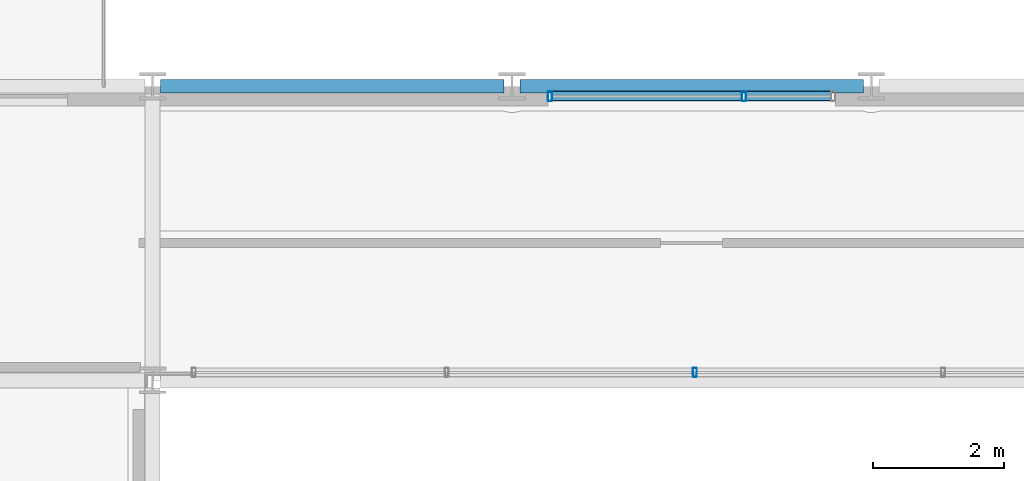
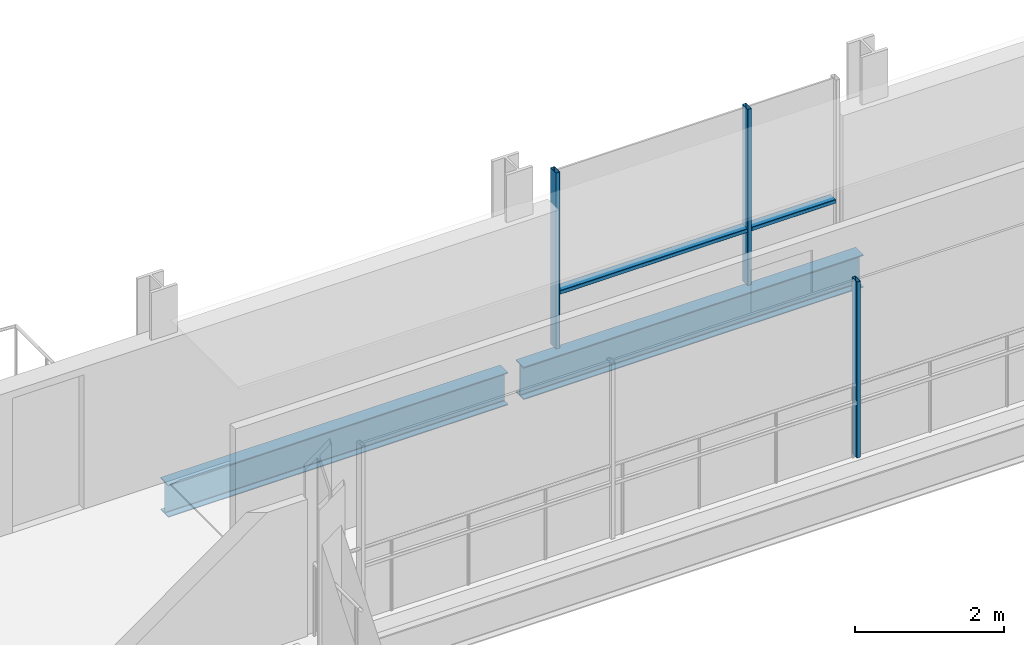
# One storey, part 13 of 39: 5 members, 2 beams, 2 elements without a shape of their own.
"""IFC4 building model written with IfcOpenShell, lengths in metres."""

import ifcopenshell
import ifcopenshell.guid

model = None  # the IFC model being written
_history = None  # IfcOwnerHistory: only IFC2X3 demands one
_inside = {}  # id of a spatial element -> (the spatial element, [elements in it])
_under = {}  # id of a project, library or spatial element -> (it, [spatial elements below it])
_declared = {}  # id of a project -> (the project, [libraries it declares])
_typed = {}  # id of a type object -> (the type object, [elements of that type])
_made_of = {}  # id of a material, layer set ... -> (it, [elements and type objects made of it])


def new_model(schema):
    """Start an empty IFC model of exactly this schema.

    Asked for "IFC4X3", IfcOpenShell would pick the latest addendum, in which some entities
    have other attributes; the version numbers below select the first issue.
    IFC2X3 requires an IfcOwnerHistory on every rooted entity: one is made here for all.
    """
    global model, _history
    if schema == "IFC4X3":
        model = ifcopenshell.file(schema_version=(4, 3, 0, 0))
    else:
        model = ifcopenshell.file(schema=schema)
    _inside.clear()
    _under.clear()
    _declared.clear()
    _typed.clear()
    _made_of.clear()
    _history = None
    if model.schema == "IFC2X3":
        org = make("IfcOrganization", Name="unknown")
        user = make(
            "IfcPersonAndOrganization",
            ThePerson=make("IfcPerson", FamilyName="unknown"),
            TheOrganization=org,
        )
        app = make(
            "IfcApplication",
            ApplicationDeveloper=org,
            Version="unknown",
            ApplicationFullName="unknown",
            ApplicationIdentifier="unknown",
        )
        _history = make(
            "IfcOwnerHistory",
            OwningUser=user,
            OwningApplication=app,
            ChangeAction="ADDED",
            CreationDate=0,
        )
    return model


def make(cls, **values):
    """One entity of the class cls with the attributes given. An attribute that is None is left unset."""
    return model.create_entity(
        cls, **{name: value for name, value in values.items() if value is not None}
    )


def rooted(cls, **values):
    """An entity with a GlobalId (a new one), such as an element, a storey or a relation."""
    return make(cls, GlobalId=ifcopenshell.guid.new(), OwnerHistory=_history, **values)


def si_unit(unit_type, name, prefix=None):
    """IfcSIUnit, for example si_unit("LENGTHUNIT", "METRE", prefix="MILLI")."""
    return make("IfcSIUnit", UnitType=unit_type, Prefix=prefix, Name=name)


def assignment(units):
    """IfcUnitAssignment: the units of a project."""
    return None if units is None else make("IfcUnitAssignment", Units=units)


def point(xyz):
    """IfcCartesianPoint."""
    return None if xyz is None else make("IfcCartesianPoint", Coordinates=xyz)


def direction(xyz):
    """IfcDirection."""
    return None if xyz is None else make("IfcDirection", DirectionRatios=xyz)


def frame(location, z_axis=None, x_axis=None):
    """IfcAxis2Placement3D, a coordinate frame: its origin and axes. An axis left out is left unset."""
    return make(
        "IfcAxis2Placement3D",
        Location=point(location),
        Axis=direction(z_axis),
        RefDirection=direction(x_axis),
    )


def frame_2d(location, x_axis=None):
    """IfcAxis2Placement2D, a coordinate frame in the plane: its origin and x axis."""
    return make(
        "IfcAxis2Placement2D", Location=point(location), RefDirection=direction(x_axis)
    )


def origin():
    """The frame at (0, 0, 0) with its axes left unset."""
    return frame((0.0, 0.0, 0.0))


def origin_2d():
    """The frame at (0, 0) in the plane with its x axis left unset."""
    return frame_2d((0.0, 0.0))


def place(relative_to, where):
    """IfcLocalPlacement: puts the frame where relative to a parent placement (None: the world)."""
    return make(
        "IfcLocalPlacement", PlacementRelTo=relative_to, RelativePlacement=where
    )


def context(
    kind, dimensions, precision=None, world=None, true_north=None, identifier=None
):
    """IfcGeometricRepresentationContext, for example the 3D "Model" context."""
    return make(
        "IfcGeometricRepresentationContext",
        ContextIdentifier=identifier,
        ContextType=kind,
        CoordinateSpaceDimension=dimensions,
        Precision=precision,
        WorldCoordinateSystem=world,
        TrueNorth=true_north,
    )


def subcontext(parent, identifier, kind, view, scale=None):
    """IfcGeometricRepresentationSubContext, for example "Body" below "Model"."""
    return make(
        "IfcGeometricRepresentationSubContext",
        ContextIdentifier=identifier,
        ContextType=kind,
        ParentContext=parent,
        TargetScale=scale,
        TargetView=view,
    )


def project(units=None, contexts=None):
    """IfcProject with its units and contexts."""
    return rooted(
        "IfcProject",
        Name="project",
        RepresentationContexts=contexts,
        UnitsInContext=assignment(units),
    )


def spatial(cls, under=None, at=None, **own):
    """A site, building, storey or space (cls), placed at a placement, below another one or the project."""
    s = rooted(cls, ObjectPlacement=at, **own)
    if under is not None:
        _under.setdefault(under.id(), (under, []))[1].append(s)
    return s


def profile(cls, at=None, kind="AREA", **sizes):
    """A parametric profile (cls). Its sizes go by their IFC names, for example OverallWidth=200.0."""
    return make(cls, ProfileType=kind, Position=at, **sizes)


def hollow_rectangle(**sizes):
    """IfcRectangleHollowProfileDef."""
    return profile("IfcRectangleHollowProfileDef", **sizes)


def i_section(**sizes):
    """IfcIShapeProfileDef."""
    return profile("IfcIShapeProfileDef", **sizes)


def extrude(swept, where, along, depth):
    """IfcExtrudedAreaSolid: the profile swept, set in the frame where, extruded along a direction by depth."""
    return make(
        "IfcExtrudedAreaSolid",
        SweptArea=swept,
        Position=where,
        ExtrudedDirection=direction(along),
        Depth=depth,
    )


def shape(context_of_items, identifier, shape_type, items):
    """IfcShapeRepresentation: the items that make up one representation, for example the "Body"."""
    return make(
        "IfcShapeRepresentation",
        ContextOfItems=context_of_items,
        RepresentationIdentifier=identifier,
        RepresentationType=shape_type,
        Items=items,
    )


def material(Name=None, Category=None):
    """IfcMaterial."""
    return make("IfcMaterial", Name=Name, Category=Category)


def layer(
    of_material, thickness, ventilated=None, Name=None, Category=None, Priority=None
):
    """IfcMaterialLayer: one layer of a wall or slab, of a material (None: an air gap)."""
    return make(
        "IfcMaterialLayer",
        Material=of_material,
        LayerThickness=thickness,
        IsVentilated=ventilated,
        Name=Name,
        Category=Category,
        Priority=Priority,
    )


def layer_set(layers, Name=None):
    """IfcMaterialLayerSet."""
    return make("IfcMaterialLayerSet", MaterialLayers=layers, LayerSetName=Name)


def material_profile(
    of_material, cross_section, Name=None, Category=None, Priority=None
):
    """IfcMaterialProfile: a cross section and its material."""
    return make(
        "IfcMaterialProfile",
        Name=Name,
        Material=of_material,
        Profile=cross_section,
        Priority=Priority,
        Category=Category,
    )


def profile_set(profiles, Name=None, composite=None):
    """IfcMaterialProfileSet."""
    return make(
        "IfcMaterialProfileSet",
        Name=Name,
        MaterialProfiles=profiles,
        CompositeProfile=composite,
    )


def made_of(thing, what):
    """Note that an element or type object is made of a material, layer set ...; save() writes the relation."""
    if what is not None:
        _made_of.setdefault(what.id(), (what, []))[1].append(thing)
    return thing


def type_object(cls, material=None, **own):
    """A type object (cls), such as IfcWallType, which elements share."""
    return made_of(rooted(cls, **own), material)


def element(
    cls,
    number,
    at=None,
    inside=None,
    cuts=None,
    type_object=None,
    material=None,
    context=None,
    identifier="Body",
    shape_type=None,
    held_by="IfcProductDefinitionShape",
    body=None,
    shapes=None,
    **own,
):
    """One element of the class cls, such as IfcWall. Its Tag is "e" and its number.

    at: its placement. inside: the storey or other place that contains it. cuts: it is an
    opening in that element (IfcRelVoidsElement). A single representation is given by context,
    identifier, shape_type and body (its items); several are given by shapes. held_by: the class
    of the entity that holds the representations. save() writes the other relations.
    """
    e = rooted(cls, Tag="e%d" % number, ObjectPlacement=at, **own)
    if body is not None:
        shapes = [shape(context, identifier, shape_type, body)]
    if shapes is not None:
        e.Representation = make(held_by, Representations=shapes)
    if inside is not None:
        _inside.setdefault(inside.id(), (inside, []))[1].append(e)
    if cuts is not None:
        rooted(
            "IfcRelVoidsElement", RelatingBuildingElement=cuts, RelatedOpeningElement=e
        )
    if type_object is not None:
        _typed.setdefault(type_object.id(), (type_object, []))[1].append(e)
    return made_of(e, material)


def aggregate(whole, parts):
    """IfcRelAggregates: a whole, such as a stair, and the parts it consists of."""
    return rooted("IfcRelAggregates", RelatingObject=whole, RelatedObjects=parts)


def save(model, path):
    """Write the relations noted so far, then the file.

    IfcRelAggregates (storeys below a building ...), IfcRelContainedInSpatialStructure (elements
    in a storey), IfcRelDefinesByType, IfcRelAssociatesMaterial and IfcRelDeclares: one each for
    every whole, place, type object, material and project.
    """
    for whole, parts in _under.values():
        aggregate(whole, parts)
    for where, things in _inside.values():
        rooted(
            "IfcRelContainedInSpatialStructure",
            RelatedElements=things,
            RelatingStructure=where,
        )
    for kind, things in _typed.values():
        rooted("IfcRelDefinesByType", RelatedObjects=things, RelatingType=kind)
    for what, things in _made_of.values():
        rooted("IfcRelAssociatesMaterial", RelatedObjects=things, RelatingMaterial=what)
    for by, libraries in _declared.values():
        rooted("IfcRelDeclares", RelatingContext=by, RelatedDefinitions=libraries)
    model.write(path)


model = new_model("IFC4")

# Units and contexts
model_context = context("Model", 3, precision=1e-05, world=origin(), true_north=direction((0.0, 1.0)))
body_context = subcontext(model_context, "Body", "Model", "MODEL_VIEW")
ifc_project = project(units=[si_unit("LENGTHUNIT", "METRE"), si_unit("AREAUNIT", "SQUARE_METRE"), si_unit("VOLUMEUNIT", "CUBIC_METRE"), si_unit("PLANEANGLEUNIT", "RADIAN"), si_unit("MASSUNIT", "GRAM", prefix="KILO")], contexts=[model_context])

# Site, building, storey
site_placement = place(None, origin())
site = spatial("IfcSite", under=ifc_project, at=site_placement, CompositionType="ELEMENT")
building_placement = place(site_placement, origin())
building = spatial("IfcBuilding", under=site, at=building_placement, Name="Brevholm Reach", CompositionType="ELEMENT")
storey_placement = place(building_placement, frame((0.0, 0.0, 154.199951171875)))
storey = spatial("IfcBuildingStorey", under=building, at=storey_placement, Name="L46", CompositionType="ELEMENT", Elevation=154.199951171875)

# Beams
ifc_material_1 = material(Name="Structural Steel S355J2", Category="steel")
ifc_material_profile_1 = material_profile(ifc_material_1, i_section(OverallWidth=0.209228515625, OverallDepth=0.533203125, WebThickness=0.010009765625, FlangeThickness=0.015625, FilletRadius=0.0126953125, at=origin_2d()), Name="UKB 533x210x92")
ifc_profile_set_1 = profile_set([ifc_material_profile_1], Name="Structural Steel S355J2")
beam_type = type_object("IfcBeamType", Name="BM-SP533", PredefinedType="SPANDREL", material=ifc_profile_set_1)
for number, where, z_axis, x_axis, name in (
    (1, (21.8701171875, 31.0, -0.486572265625), (1.0, 0.0, 0.0), (0.0, 1.0, 0.0), "L46 SP-02 Framing Beam"),
    (2, (27.3701171875, 31.0, -0.486572265625), (1.0, 0.0, 0.0), (0.0, 1.0, 0.0), "L46 SP-02 Framing Beam"),
):
    element("IfcBeam", number, at=place(storey_placement, frame(where, z_axis=z_axis, x_axis=x_axis)), inside=storey, type_object=beam_type, Name=name, PredefinedType="SPANDREL", context=body_context, shape_type="SweptSolid", body=[
        extrude(i_section(OverallWidth=0.209228515625, OverallDepth=0.533203125, WebThickness=0.010009765625, FlangeThickness=0.015625, FilletRadius=0.0126953125, at=origin_2d()), origin(), (0.0, 0.0, 1.0), 5.259765625),
    ])

# Curtain wall, member
ifc_material_2 = material(Name="Dark Anodised Aluminium 6063-T6 and Solar-Control Glass", Category="aluminium")
ifc_layer_1 = layer(ifc_material_2, 0.139892578125)
ifc_layer_set_1 = layer_set([ifc_layer_1], Name="Dark Anodised Aluminium 6063-T6 and Solar-Control Glass")
curtain_wall_type_1 = type_object("IfcCurtainWallType", Name="CW-02", PredefinedType="NOTDEFINED", material=ifc_layer_set_1)
curtain_wall_1_placement = place(storey_placement, origin())
curtain_wall_1 = element("IfcCurtainWall", 3, at=curtain_wall_1_placement, inside=storey, type_object=curtain_wall_type_1, Name="L46 Curtain Wall CW-02", PredefinedType="NOTDEFINED")
ifc_material_3 = material(Name="Dark Anodised Aluminium 6063-T6", Category="aluminium")
ifc_material_profile_2 = material_profile(ifc_material_3, hollow_rectangle(XDim=0.06005859375, YDim=0.139892578125, WallThickness=0.0048828125, InnerFilletRadius=0.0048828125, OuterFilletRadius=0.010009765625, at=origin_2d()), Name="RHS 140x60x5")
ifc_profile_set_2 = profile_set([ifc_material_profile_2], Name="Dark Anodised Aluminium 6063-T6")
member_type_1 = type_object("IfcMemberType", Name="CWM-140", PredefinedType="MULLION", material=ifc_profile_set_2)
member_1_placement = place(storey_placement, frame((30.050048828125, 26.6201171875, 0.0), z_axis=(0.0, 0.0, 1.0), x_axis=(-1.0, 0.0, 0.0)))
member_1 = element("IfcMember", 4, at=member_1_placement, type_object=member_type_1, Name="CM-140 Mullion 3", PredefinedType="MULLION", context=body_context, shape_type="SweptSolid", body=[
    extrude(hollow_rectangle(XDim=0.06005859375, YDim=0.139892578125, WallThickness=0.0048828125, InnerFilletRadius=0.0048828125, OuterFilletRadius=0.010009765625, at=origin_2d()), origin(), (0.0, 0.0, 1.0), 2.880126953125),
])
aggregate(curtain_wall_1, [member_1])

# Curtain wall, members
ifc_material_4 = material(Name="Dark Anodised Aluminium 6063-T6 and Solar-Control Glass", Category="aluminium")
ifc_layer_2 = layer(ifc_material_4, 0.14990234375)
ifc_layer_set_2 = layer_set([ifc_layer_2], Name="Dark Anodised Aluminium 6063-T6 and Solar-Control Glass")
curtain_wall_type_2 = type_object("IfcCurtainWallType", Name="CW-01", PredefinedType="NOTDEFINED", material=ifc_layer_set_2)
curtain_wall_2_placement = place(storey_placement, origin())
curtain_wall_2 = element("IfcCurtainWall", 5, at=curtain_wall_2_placement, inside=storey, type_object=curtain_wall_type_2, Name="L46 Curtain Wall CW-01", PredefinedType="NOTDEFINED")
ifc_material_5 = material(Name="Dark Anodised Aluminium 6063-T6", Category="aluminium")
ifc_material_profile_3 = material_profile(ifc_material_5, hollow_rectangle(XDim=0.06494140625, YDim=0.14990234375, WallThickness=0.0048828125, InnerFilletRadius=0.0048828125, OuterFilletRadius=0.010009765625, at=origin_2d()), Name="RHS 150x65x5")
ifc_profile_set_3 = profile_set([ifc_material_profile_3], Name="Dark Anodised Aluminium 6063-T6")
member_type_2 = type_object("IfcMemberType", Name="CWM-150", PredefinedType="MULLION", material=ifc_profile_set_3)
member_2_placement = place(storey_placement, frame((27.83251953125, 30.85009765625, 0.0), z_axis=(0.0, 0.0, 1.0), x_axis=(1.0, 0.0, 0.0)))
member_2 = element("IfcMember", 6, at=member_2_placement, type_object=member_type_2, Name="CM-150 Mullion 1", PredefinedType="MULLION", context=body_context, shape_type="SweptSolid", body=[
    extrude(hollow_rectangle(XDim=0.06494140625, YDim=0.14990234375, WallThickness=0.0048828125, InnerFilletRadius=0.0048828125, OuterFilletRadius=0.010009765625, at=origin_2d()), origin(), (0.0, 0.0, 1.0), 2.880126953125),
])
member_3_placement = place(storey_placement, frame((30.800048828125, 30.85009765625, 0.0), z_axis=(0.0, 0.0, 1.0), x_axis=(1.0, 0.0, 0.0)))
member_3 = element("IfcMember", 7, at=member_3_placement, type_object=member_type_2, Name="CM-150 Mullion 2", PredefinedType="MULLION", context=body_context, shape_type="SweptSolid", body=[
    extrude(hollow_rectangle(XDim=0.06494140625, YDim=0.14990234375, WallThickness=0.0048828125, InnerFilletRadius=0.0048828125, OuterFilletRadius=0.010009765625, at=origin_2d()), origin(), (0.0, 0.0, 1.0), 2.880126953125),
])
ifc_material_6 = material(Name="Dark Anodised Aluminium 6063-T6", Category="aluminium")
ifc_material_profile_4 = material_profile(ifc_material_6, hollow_rectangle(XDim=0.06494140625, YDim=0.14990234375, WallThickness=0.0048828125, InnerFilletRadius=0.0048828125, OuterFilletRadius=0.010009765625, at=origin_2d()), Name="RHS 150x65x5")
ifc_profile_set_4 = profile_set([ifc_material_profile_4], Name="Dark Anodised Aluminium 6063-T6")
member_type_3 = type_object("IfcMemberType", Name="CWT-150", PredefinedType="NOTDEFINED", material=ifc_profile_set_4)
member_4_placement = place(storey_placement, frame((27.864990234375, 30.85009765625, 0.900146484375), z_axis=(1.0, 0.0, 0.0), x_axis=(0.0, 0.0, 1.0)))
member_4 = element("IfcMember", 8, at=member_4_placement, type_object=member_type_3, Name="CT-150 Transom 1.1", ObjectType="TRANSOM", PredefinedType="USERDEFINED", context=body_context, shape_type="SweptSolid", body=[
    extrude(hollow_rectangle(XDim=0.06494140625, YDim=0.14990234375, WallThickness=0.0048828125, InnerFilletRadius=0.0048828125, OuterFilletRadius=0.010009765625, at=origin_2d()), origin(), (0.0, 0.0, 1.0), 2.902587890625),
])
member_5_placement = place(storey_placement, frame((30.83251953125, 30.85009765625, 0.900146484375), z_axis=(1.0, 0.0, 0.0), x_axis=(0.0, 0.0, 1.0)))
member_5 = element("IfcMember", 9, at=member_5_placement, type_object=member_type_3, Name="CT-150 Transom 2.1", ObjectType="TRANSOM", PredefinedType="USERDEFINED", context=body_context, shape_type="SweptSolid", body=[
    extrude(hollow_rectangle(XDim=0.06494140625, YDim=0.14990234375, WallThickness=0.0048828125, InnerFilletRadius=0.0048828125, OuterFilletRadius=0.010009765625, at=origin_2d()), origin(), (0.0, 0.0, 1.0), 1.302490234375),
])
aggregate(curtain_wall_2, [member_2, member_3, member_4, member_5])

save(model, "model.ifc")
